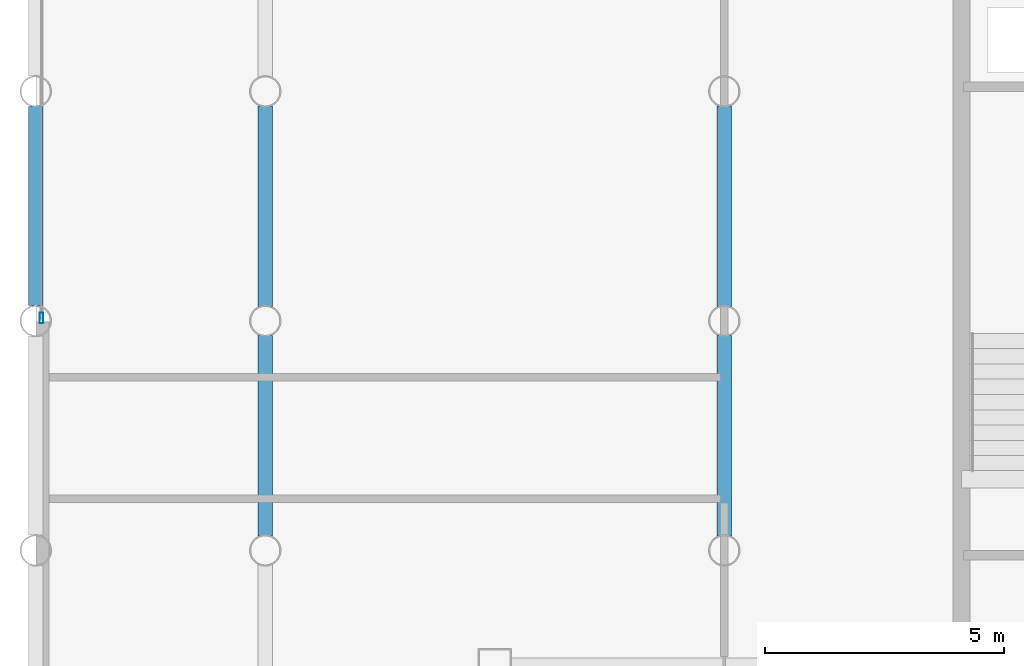
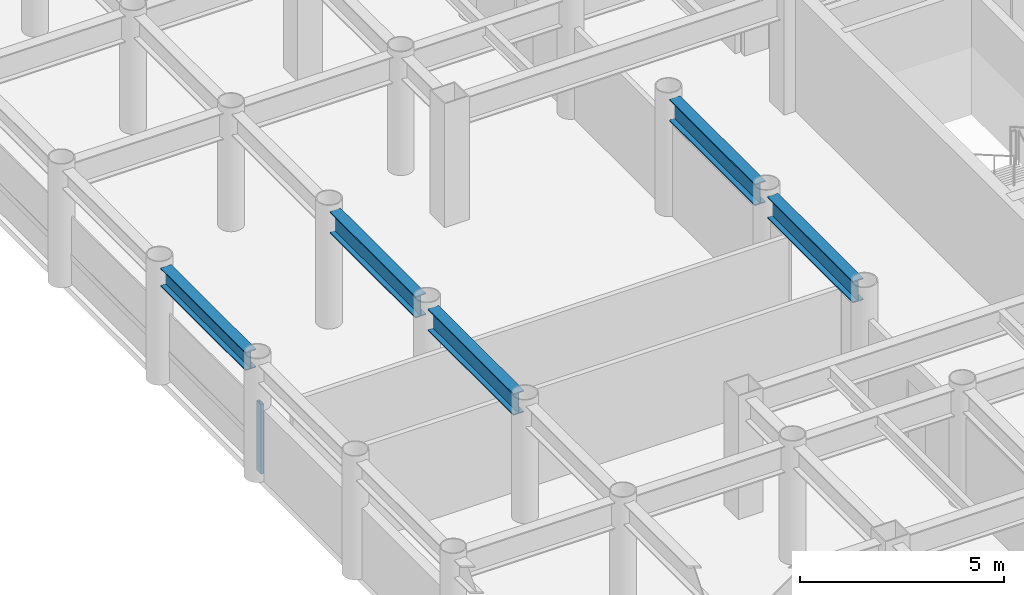
# One storey, part 4 of 20: 5 beams, 1 member, 1 element without a shape of its own.
"""IFC4 building model written with IfcOpenShell, lengths in metres."""

from ifc_helpers import new_model, si_unit, direction, frame, origin, origin_2d, place, context, subcontext, project, spatial, hollow_rectangle, i_section, extrude, material, layer, layer_set, material_profile, profile_set, type_object, element, aggregate, save


model = new_model("IFC4")

# Units and contexts
model_context = context("Model", 3, precision=1e-05, world=origin(), true_north=direction((0.0, 1.0)))
body_context = subcontext(model_context, "Body", "Model", "MODEL_VIEW")
ifc_project = project(units=[si_unit("LENGTHUNIT", "METRE"), si_unit("AREAUNIT", "SQUARE_METRE"), si_unit("VOLUMEUNIT", "CUBIC_METRE"), si_unit("PLANEANGLEUNIT", "RADIAN"), si_unit("MASSUNIT", "GRAM", prefix="KILO")], contexts=[model_context])

# Site, building, storey
site_placement = place(None, origin())
site = spatial("IfcSite", under=ifc_project, at=site_placement, CompositionType="ELEMENT")
building_placement = place(site_placement, origin())
building = spatial("IfcBuilding", under=site, at=building_placement, Name="Kallvorn Hotel Tower", CompositionType="ELEMENT")
storey_placement = place(building_placement, frame((0.0, 0.0, 135.89990234375)))
storey = spatial("IfcBuildingStorey", under=building, at=storey_placement, Name="L33", CompositionType="ELEMENT", Elevation=135.89990234375)

# Beams
ifc_material_1 = material(Name="Structural steel S355JR", Category="steel")
ifc_material_profile_1 = material_profile(ifc_material_1, i_section(OverallWidth=0.300048828125, OverallDepth=0.550048828125, WebThickness=0.014892578125, FlangeThickness=0.029052734375, at=origin_2d()), Name="HE 550 B")
ifc_profile_set_1 = profile_set([ifc_material_profile_1], Name="Structural steel S355JR")
beam_type_1 = type_object("IfcBeamType", Name="BM_HE550B", PredefinedType="SPANDREL", material=ifc_profile_set_1)
beam_placement = place(storey_placement, frame((-33.60009765625, 0.320068359375, 3.2451171875), z_axis=(0.0, 1.0, 0.0), x_axis=(-1.0, 0.0, 0.0)))
element("IfcBeam", 1, at=beam_placement, inside=storey, type_object=beam_type_1, Name="L34 Perimeter Spandrel 177", PredefinedType="SPANDREL", context=body_context, shape_type="SweptSolid", body=[
    extrude(i_section(OverallWidth=0.300048828125, OverallDepth=0.550048828125, WebThickness=0.014892578125, FlangeThickness=0.029052734375, at=origin_2d()), origin(), (0.0, 0.0, 1.0), 4.159912109375),
])
ifc_material_2 = material(Name="Structural steel S355JR", Category="steel")
ifc_material_profile_2 = material_profile(ifc_material_2, i_section(OverallWidth=0.300048828125, OverallDepth=0.64990234375, WebThickness=0.01611328125, FlangeThickness=0.031005859375, at=origin_2d()), Name="HE 650 B")
ifc_profile_set_2 = profile_set([ifc_material_profile_2], Name="Structural steel S355JR")
beam_type_2 = type_object("IfcBeamType", Name="BM_HE650B", PredefinedType="BEAM", material=ifc_profile_set_2)
for number, where, z_axis, x_axis, name in (
    (2, (-28.800048828125, -4.4951171875, 3.195068359375), (0.0, 1.0, 0.0), (-1.0, 0.0, 0.0), "L34 Primary Y-Girder 76"),
    (3, (-28.800048828125, 0.304931640625, 3.195068359375), (0.0, 1.0, 0.0), (-1.0, 0.0, 0.0), "L34 Primary Y-Girder 77"),
    (4, (-19.199951171875, -4.4951171875, 3.195068359375), (0.0, 1.0, 0.0), (-1.0, 0.0, 0.0), "L34 Primary Y-Girder 92"),
    (5, (-19.199951171875, 0.304931640625, 3.195068359375), (0.0, 1.0, 0.0), (-1.0, 0.0, 0.0), "L34 Primary Y-Girder 93"),
):
    element("IfcBeam", number, at=place(storey_placement, frame(where, z_axis=z_axis, x_axis=x_axis)), inside=storey, type_object=beam_type_2, Name=name, PredefinedType="BEAM", context=body_context, shape_type="SweptSolid", body=[
        extrude(i_section(OverallWidth=0.300048828125, OverallDepth=0.64990234375, WebThickness=0.01611328125, FlangeThickness=0.031005859375, at=origin_2d()), origin(), (0.0, 0.0, 1.0), 4.190185546875),
    ])

# Curtain wall, member
ifc_material_3 = material(Name="Thermally broken black-anodised aluminium AA 6063-T6", Category="aluminium")
ifc_layer = layer(ifc_material_3, 0.2099609375)
ifc_layer_set = layer_set([ifc_layer], Name="CW_SYS_4_HOTEL_MID")
curtain_wall_type = type_object("IfcCurtainWallType", Name="CW_SYS_4_HOTEL_MID", PredefinedType="USERDEFINED", material=ifc_layer_set)
curtain_wall_placement = place(storey_placement, origin())
curtain_wall = element("IfcCurtainWall", 6, at=curtain_wall_placement, inside=storey, type_object=curtain_wall_type, Name="L33 Dark-Glass Curtain Wall CW-L33-WN", ObjectType="UNITISED CURTAIN WALL", PredefinedType="USERDEFINED")
ifc_material_4 = material(Name="Thermally broken black-anodised aluminium AA 6063-T6", Category="aluminium")
ifc_material_profile_3 = material_profile(ifc_material_4, hollow_rectangle(XDim=0.080078125, YDim=0.219970703125, WallThickness=0.0048828125, at=origin_2d()), Name="MUL 220x80")
ifc_profile_set_3 = profile_set([ifc_material_profile_3], Name="Thermally broken black-anodised aluminium AA 6063-T6")
member_type = type_object("IfcMemberType", Name="CW_MULLION_220x80", PredefinedType="MULLION", material=ifc_profile_set_3)
member_placement = place(storey_placement, frame((-33.47998046875, 0.06005859375, 0.02001953125), z_axis=(0.0, 0.0, 1.0), x_axis=(1.0, 0.0, 0.0)))
member = element("IfcMember", 7, at=member_placement, type_object=member_type, Name="CW-L33-WN Mullion 00", PredefinedType="MULLION", context=body_context, shape_type="SweptSolid", body=[
    extrude(hollow_rectangle(XDim=0.080078125, YDim=0.219970703125, WallThickness=0.0048828125, at=origin_2d()), origin(), (0.0, 0.0, 1.0), 2.080078125),
])
aggregate(curtain_wall, [member])

save(model, "model.ifc")
